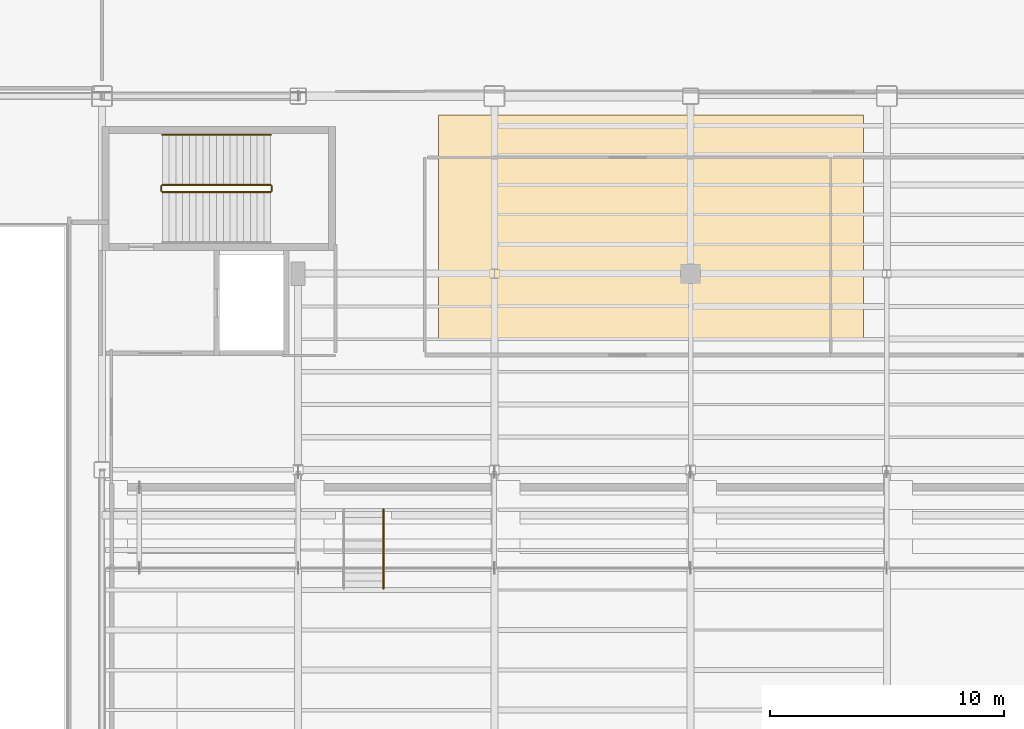
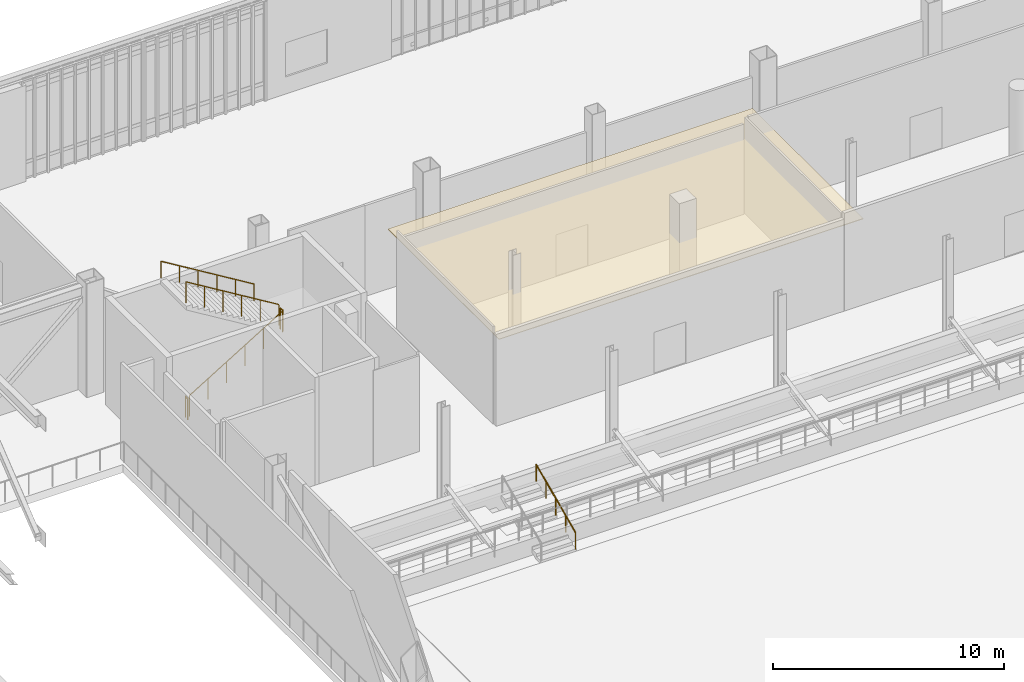
# One storey, part 129 of 135: 6 railings, 1 covering.
"""IFC4 building model written with IfcOpenShell, lengths in metres."""

from ifc_helpers import new_model, si_unit, direction, frame, origin, origin_2d, place, context, subcontext, project, spatial, polyline, circle, outline, extrude, material, layer, layer_set, type_object, element, save


model = new_model("IFC4")

# Units and contexts
model_context = context("Model", 3, precision=1e-05, world=origin(), true_north=direction((0.0, 1.0)))
body_context = subcontext(model_context, "Body", "Model", "MODEL_VIEW")
ifc_project = project(units=[si_unit("LENGTHUNIT", "METRE"), si_unit("AREAUNIT", "SQUARE_METRE"), si_unit("VOLUMEUNIT", "CUBIC_METRE"), si_unit("PLANEANGLEUNIT", "RADIAN"), si_unit("MASSUNIT", "GRAM", prefix="KILO")], contexts=[model_context])

# Site, building, storey
site_placement = place(None, origin())
site = spatial("IfcSite", under=ifc_project, at=site_placement, CompositionType="ELEMENT")
building_placement = place(site_placement, origin())
building = spatial("IfcBuilding", under=site, at=building_placement, Name="Larkvane Passage Sports Hall", CompositionType="ELEMENT")
storey_placement = place(building_placement, frame((0.0, 0.0, 10.800048828125)))
storey = spatial("IfcBuildingStorey", under=building, at=storey_placement, Name="L02", CompositionType="ELEMENT", Elevation=10.800048828125)

# Covering
ifc_material_1 = material(Name="Perforated mineral-wool acoustic baffle")
ifc_layer = layer(ifc_material_1, 0.030029296875)
ifc_layer_set = layer_set([ifc_layer], Name="Perforated mineral-wool acoustic baffle")
covering_type = type_object("IfcCoveringType", Name="COV-CEIL-ACOUST", PredefinedType="CEILING", material=ifc_layer_set)
covering_placement = place(storey_placement, frame((0.0, 0.0, 3.89990234375)))
element("IfcCovering", 1, at=covering_placement, inside=storey, type_object=covering_type, Name="Acoustic ceiling baffle COV-CEIL-L02-CLB", PredefinedType="CEILING", context=body_context, shape_type="SweptSolid", body=[
    extrude(outline(polyline([(49.199951171875, 81.199951171875), (67.39990234375, 81.199951171875), (67.39990234375, 90.800048828125), (49.199951171875, 90.800048828125), (49.199951171875, 81.199951171875)])), origin(), (0.0, 0.0, 1.0), 0.030029296875),
])

# Railings
ifc_material_2 = material(Name="Steel S355JR", Category="steel")
railing_type_1 = type_object("IfcRailingType", Name="RL-GUARD-1120", PredefinedType="GUARDRAIL", material=ifc_material_2)
railing_1_placement = place(storey_placement, frame((37.3798828125, 87.5, 0.176513671875)))
element("IfcRailing", 2, at=railing_1_placement, inside=storey, type_object=railing_type_1, Name="L02 ST-02 stair guard 1", PredefinedType="GUARDRAIL", context=body_context, shape_type="SweptSolid", body=[
    extrude(circle(Radius=0.02392578125, at=origin_2d()), frame((0.001708984375, 0.0, 1.09716796875), z_axis=(0.854275794217, 0.0, 0.51982003368), x_axis=(0.0, 1.0, 0.0)), (0.0, 0.0, 1.0), 5.427734375),
    extrude(circle(Radius=0.02099609375, at=origin_2d()), origin(), (0.0, 0.0, 1.0), 1.072021484375),
    extrude(circle(Radius=0.02099609375, at=origin_2d()), frame((0.927978515625, 0.0, 0.564697265625)), (0.0, 0.0, 1.0), 1.072021484375),
    extrude(circle(Radius=0.02099609375, at=origin_2d()), frame((1.85595703125, 0.0, 1.12939453125)), (0.0, 0.0, 1.0), 1.072021484375),
    extrude(circle(Radius=0.02099609375, at=origin_2d()), frame((2.7841796875, 0.0, 1.694091796875)), (0.0, 0.0, 1.0), 1.072021484375),
    extrude(circle(Radius=0.02099609375, at=origin_2d()), frame((3.712158203125, 0.0, 2.2587890625)), (0.0, 0.0, 1.0), 1.072021484375),
    extrude(circle(Radius=0.02099609375, at=origin_2d()), frame((4.64013671875, 0.0, 2.823486328125)), (0.0, 0.0, 1.0), 1.072021484375),
])
railing_2_placement = place(storey_placement, frame((42.070068359375, 87.550048828125, 3.0)))
element("IfcRailing", 3, at=railing_2_placement, inside=storey, type_object=railing_type_1, Name="L02 ST-02 stair guard 2", PredefinedType="GUARDRAIL", context=body_context, shape_type="SweptSolid", body=[
    extrude(circle(Radius=0.02392578125, at=origin_2d()), frame((0.0, 0.001953125, 1.09619140625), z_axis=(0.0, 1.0, 0.0), x_axis=(-1.0, 0.0, 0.0)), (0.0, 0.0, 1.0), 0.196044921875),
    extrude(circle(Radius=0.02099609375, at=origin_2d()), origin(), (0.0, 0.0, 1.0), 1.072021484375),
    extrude(circle(Radius=0.02099609375, at=origin_2d()), frame((0.0, 0.199951171875, 0.0)), (0.0, 0.0, 1.0), 1.072021484375),
])
railing_3_placement = place(storey_placement, frame((42.02001953125, 87.800048828125, 3.176513671875)))
element("IfcRailing", 4, at=railing_3_placement, inside=storey, type_object=railing_type_1, Name="L02 ST-02 stair guard 3", PredefinedType="GUARDRAIL", context=body_context, shape_type="SweptSolid", body=[
    extrude(circle(Radius=0.02392578125, at=origin_2d()), frame((-0.001708984375, 0.0, 1.09716796875), z_axis=(-0.854275794217, 0.0, 0.51982003368), x_axis=(0.0, -1.0, 0.0)), (0.0, 0.0, 1.0), 5.427734375),
    extrude(circle(Radius=0.02099609375, at=origin_2d()), origin(), (0.0, 0.0, 1.0), 1.072021484375),
    extrude(circle(Radius=0.02099609375, at=origin_2d()), frame((-0.927978515625, 0.0, 0.564697265625)), (0.0, 0.0, 1.0), 1.072021484375),
    extrude(circle(Radius=0.02099609375, at=origin_2d()), frame((-1.85595703125, 0.0, 1.12939453125)), (0.0, 0.0, 1.0), 1.072021484375),
    extrude(circle(Radius=0.02099609375, at=origin_2d()), frame((-2.7841796875, 0.0, 1.694091796875)), (0.0, 0.0, 1.0), 1.072021484375),
    extrude(circle(Radius=0.02099609375, at=origin_2d()), frame((-3.712158203125, 0.0, 2.2587890625)), (0.0, 0.0, 1.0), 1.072021484375),
    extrude(circle(Radius=0.02099609375, at=origin_2d()), frame((-4.64013671875, 0.0, 2.823486328125)), (0.0, 0.0, 1.0), 1.072021484375),
])
railing_4_placement = place(storey_placement, frame((37.330078125, 87.550048828125, 0.0)))
element("IfcRailing", 5, at=railing_4_placement, inside=storey, type_object=railing_type_1, Name="L02 ST-02 stair guard 4", PredefinedType="GUARDRAIL", context=body_context, shape_type="SweptSolid", body=[
    extrude(circle(Radius=0.02392578125, at=origin_2d()), frame((0.0, 0.001953125, 1.09619140625), z_axis=(0.0, 1.0, 0.0), x_axis=(-1.0, 0.0, 0.0)), (0.0, 0.0, 1.0), 0.196044921875),
    extrude(circle(Radius=0.02099609375, at=origin_2d()), origin(), (0.0, 0.0, 1.0), 1.072021484375),
    extrude(circle(Radius=0.02099609375, at=origin_2d()), frame((0.0, 0.199951171875, 0.0)), (0.0, 0.0, 1.0), 1.072021484375),
])
ifc_material_3 = material(Name="Stainless steel S355JR", Category="steel")
railing_type_2 = type_object("IfcRailingType", Name="RL-HAND-920", PredefinedType="HANDRAIL", material=ifc_material_3)
railing_5_placement = place(storey_placement, frame((42.02001953125, 89.949951171875, 3.176513671875)))
element("IfcRailing", 6, at=railing_5_placement, inside=storey, type_object=railing_type_2, Name="L02 ST-02 stair handrail 2", PredefinedType="HANDRAIL", context=body_context, shape_type="SweptSolid", body=[
    extrude(circle(Radius=0.02392578125, at=origin_2d()), frame((-0.001708984375, 0.0, 0.876953125), z_axis=(-0.854275794217, 0.0, 0.51982003368), x_axis=(0.0, -1.0, 0.0)), (0.0, 0.0, 1.0), 5.427734375),
    extrude(circle(Radius=0.02099609375, at=origin_2d()), origin(), (0.0, 0.0, 1.0), 0.851806640625),
    extrude(circle(Radius=0.02099609375, at=origin_2d()), frame((-0.927978515625, 0.0, 0.564697265625)), (0.0, 0.0, 1.0), 0.851806640625),
    extrude(circle(Radius=0.02099609375, at=origin_2d()), frame((-1.85595703125, 0.0, 1.12939453125)), (0.0, 0.0, 1.0), 0.851806640625),
    extrude(circle(Radius=0.02099609375, at=origin_2d()), frame((-2.7841796875, 0.0, 1.694091796875)), (0.0, 0.0, 1.0), 0.851806640625),
    extrude(circle(Radius=0.02099609375, at=origin_2d()), frame((-3.712158203125, 0.0, 2.2587890625)), (0.0, 0.0, 1.0), 0.851806640625),
    extrude(circle(Radius=0.02099609375, at=origin_2d()), frame((-4.64013671875, 0.0, 2.823486328125)), (0.0, 0.0, 1.0), 0.851806640625),
])
railing_6_placement = place(storey_placement, frame((46.85009765625, 70.510009765625, 0.153564453125)))
element("IfcRailing", 7, at=railing_6_placement, inside=storey, type_object=railing_type_2, Name="Spectator stair handrail ST-B3-R", PredefinedType="HANDRAIL", context=body_context, shape_type="SweptSolid", body=[
    extrude(circle(Radius=0.02392578125, at=origin_2d()), frame((0.0, 0.001708984375, 0.876708984375), z_axis=(0.0, 0.91127635095, 0.411795352329), x_axis=(-1.0, 0.0, 0.0)), (0.0, 0.0, 1.0), 3.726806640625),
    extrude(circle(Radius=0.02099609375, at=origin_2d()), origin(), (0.0, 0.0, 1.0), 0.851806640625),
    extrude(circle(Radius=0.02099609375, at=origin_2d()), frame((0.0, 0.85009765625, 0.384033203125)), (0.0, 0.0, 1.0), 0.851806640625),
    extrude(circle(Radius=0.02099609375, at=origin_2d()), frame((0.0, 1.699951171875, 0.76806640625)), (0.0, 0.0, 1.0), 0.851806640625),
    extrude(circle(Radius=0.02099609375, at=origin_2d()), frame((0.0, 2.5498046875, 1.15234375)), (0.0, 0.0, 1.0), 0.851806640625),
    extrude(circle(Radius=0.02099609375, at=origin_2d()), frame((0.0, 3.39990234375, 1.536376953125)), (0.0, 0.0, 1.0), 0.851806640625),
])

save(model, "model.ifc")
